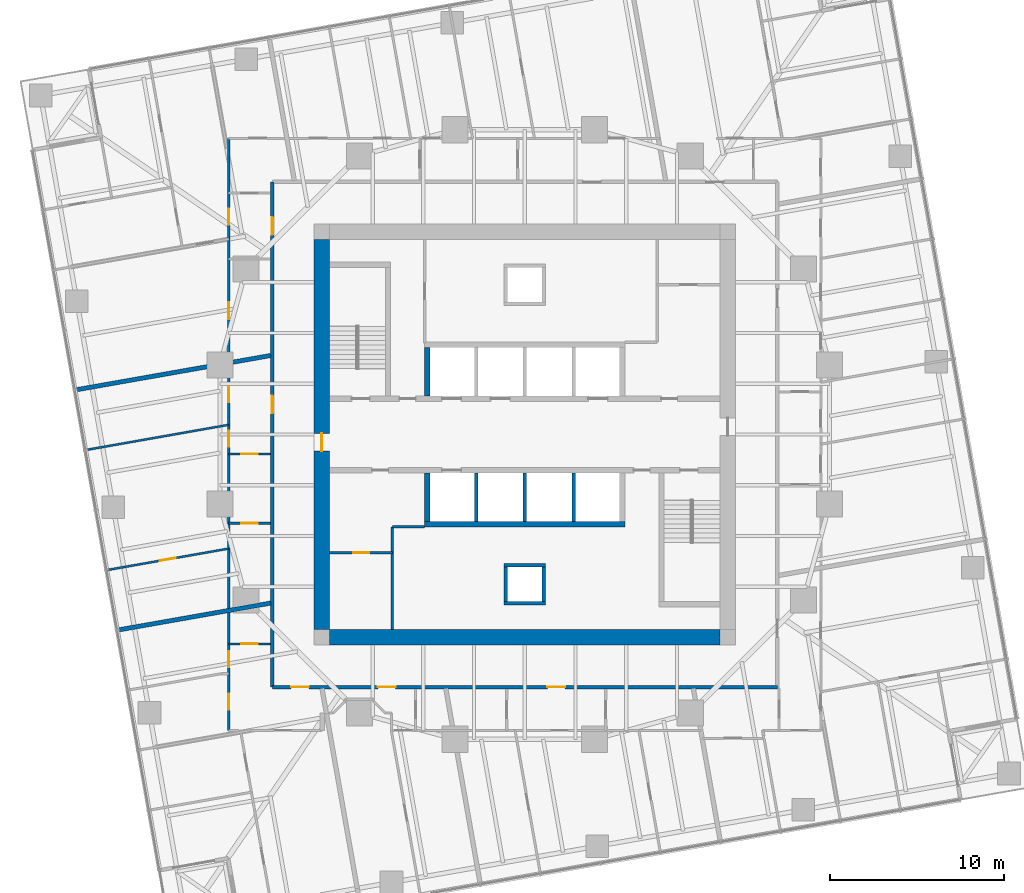
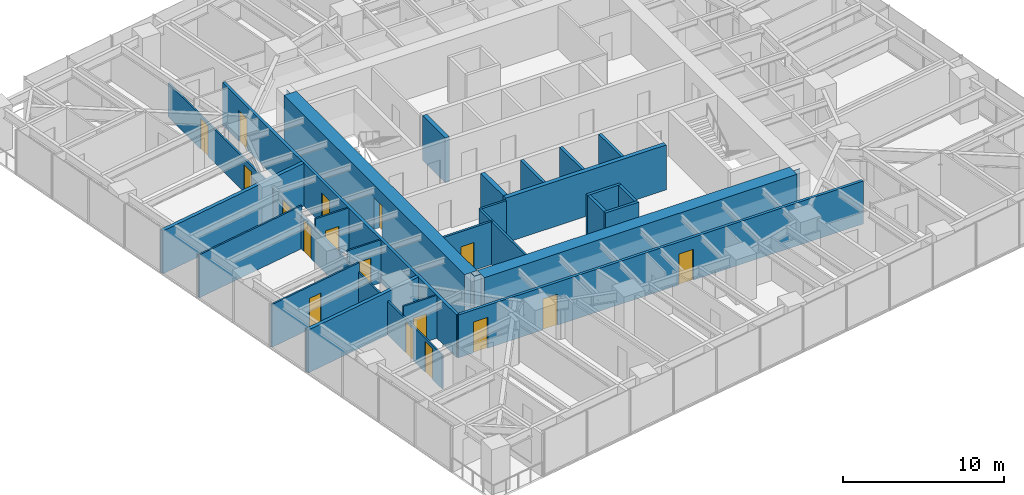
# One storey, part 9 of 14: 25 walls, 17 doors, 17 openings.
"""IFC4 building model written with IfcOpenShell, lengths in metres."""

from ifc_helpers import new_model, si_unit, direction, frame, frame_2d, origin, place, context, subcontext, project, spatial, polyline, rectangle, outline, extrude, material, layer, layer_set, type_object, element, fill, save


model = new_model("IFC4")

# Units and contexts
model_context = context("Model", 3, precision=1e-05, world=origin(), true_north=direction((0.0, 1.0)))
body_context = subcontext(model_context, "Body", "Model", "MODEL_VIEW")
ifc_project = project(units=[si_unit("LENGTHUNIT", "METRE"), si_unit("AREAUNIT", "SQUARE_METRE"), si_unit("VOLUMEUNIT", "CUBIC_METRE"), si_unit("PLANEANGLEUNIT", "RADIAN"), si_unit("MASSUNIT", "GRAM", prefix="KILO")], contexts=[model_context])

# Site, building, storey
site_placement = place(None, origin())
site = spatial("IfcSite", under=ifc_project, at=site_placement, CompositionType="ELEMENT")
building_placement = place(site_placement, origin())
building = spatial("IfcBuilding", under=site, at=building_placement, Name="Torsade Residences", CompositionType="ELEMENT")
storey_placement = place(building_placement, frame((0.0, 0.0, 86.199951171875)))
storey = spatial("IfcBuildingStorey", under=building, at=storey_placement, Name="L23", CompositionType="ELEMENT", Elevation=86.199951171875)

# Walls
ifc_material_1 = material(Name="Concrete 80 MPa", Category="concrete")
ifc_layer_1 = layer(ifc_material_1, 0.300048828125)
ifc_layer_set_1 = layer_set([ifc_layer_1], Name="Concrete 80 MPa")
wall_type_1 = type_object("IfcWallType", Name="CORE INTERNAL WALL 300", PredefinedType="SHEAR", material=ifc_layer_set_1)
wall_1_placement = place(storey_placement, frame((45.75, 24.85009765625, 0.0), z_axis=(0.0, 0.0, 1.0), x_axis=(-1.0, 0.0, 0.0)))
element("IfcWall", 1, at=wall_1_placement, inside=storey, type_object=wall_type_1, Name="Core wall BS L23", PredefinedType="SHEAR", context=body_context, shape_type="SweptSolid", body=[
    extrude(rectangle(XDim=11.5, YDim=0.300048828125, at=frame_2d((5.75, 0.0))), origin(), (0.0, 0.0, 1.0), 3.400146484375),
])
for number, where, z_axis, x_axis, name in (
    (2, (34.39990234375, 32.199951171875, 0.0), (0.0, 0.0, 1.0), (0.0, 1.0, 0.0), "Core wall DN0 L23"),
    (3, (34.39990234375, 27.800048828125, 0.0), (0.0, 0.0, 1.0), (0.0, -1.0, 0.0), "Core wall DS4 L23"),
):
    element("IfcWall", number, at=place(storey_placement, frame(where, z_axis=z_axis, x_axis=x_axis)), inside=storey, type_object=wall_type_1, Name=name, PredefinedType="SHEAR", context=body_context, shape_type="SweptSolid", body=[
        extrude(rectangle(XDim=2.800048828125, YDim=0.300048828125, at=frame_2d((1.39990234375, 0.0))), origin(), (0.0, 0.0, 1.0), 3.400146484375),
    ])
ifc_material_2 = material(Name="Concrete 80 MPa", Category="concrete")
ifc_layer_2 = layer(ifc_material_2, 0.89990234375)
ifc_layer_set_2 = layer_set([ifc_layer_2], Name="Concrete 80 MPa")
wall_type_2 = type_object("IfcWallType", Name="CORE WALL 900", PredefinedType="SHEAR", material=ifc_layer_set_2)
wall_2_placement = place(storey_placement, frame((51.199951171875, 18.35009765625, 0.0), z_axis=(0.0, 0.0, 1.0), x_axis=(-1.0, 0.0, 0.0)))
element("IfcWall", 4, at=wall_2_placement, inside=storey, type_object=wall_type_2, Name="Core wall S L23", PredefinedType="SHEAR", context=body_context, shape_type="SweptSolid", body=[
    extrude(outline(polyline([(0.0, -0.449951171875), (22.39990234375, -0.449951171875), (22.39990234375, -0.02490234375), (22.849853515625, -0.02490234375), (22.849853515625, 0.02490234375), (22.39990234375, 0.02490234375), (22.39990234375, 0.449951171875), (0.0, 0.449951171875), (0.0, 0.02490234375), (-0.449951171875, 0.02490234375), (-0.449951171875, -0.02490234375), (0.0, -0.02490234375), (0.0, -0.449951171875)])), origin(), (0.0, 0.0, 1.0), 3.400146484375),
])

# Wall, opening, door
wall_3_placement = place(storey_placement, frame((28.35009765625, 41.199951171875, 0.0), z_axis=(0.0, 0.0, 1.0), x_axis=(0.0, -1.0, 0.0)))
wall_3 = element("IfcWall", 5, at=wall_3_placement, inside=storey, type_object=wall_type_2, Name="Core wall W L23", PredefinedType="SHEAR", context=body_context, shape_type="SweptSolid", body=[
    extrude(outline(polyline([(0.0, -0.449951171875), (22.39990234375, -0.449951171875), (22.39990234375, -0.02490234375), (22.849853515625, -0.02490234375), (22.849853515625, 0.02490234375), (22.39990234375, 0.02490234375), (22.39990234375, 0.449951171875), (0.0, 0.449951171875), (0.0, 0.02490234375), (-0.449951171875, 0.02490234375), (-0.449951171875, -0.02490234375), (0.0, -0.02490234375), (0.0, -0.449951171875)])), origin(), (0.0, 0.0, 1.0), 3.400146484375),
])
opening_1_placement = place(wall_3_placement, frame((11.139892578125, 0.0, 0.0)))
opening_1 = element("IfcOpeningElement", 6, at=opening_1_placement, cuts=wall_3, Name="Opening D04", PredefinedType="OPENING", context=body_context, shape_type="SweptSolid", body=[
    extrude(rectangle(XDim=1.02001953125, YDim=2.39990234375, at=frame_2d((0.510009765625, 1.199951171875))), frame((0.0, 0.4599609375, 0.0), z_axis=(0.0, -1.0, 0.0), x_axis=(1.0, 0.0, 0.0)), (0.0, 0.0, 1.0), 0.919921875),
])
ifc_material_3 = material(Name="Steel-framed fire door", Category="steel")
door_type_1 = type_object("IfcDoorType", Name="LOBBY SMOKE DOOR 1020x2400", OperationType="NOTDEFINED", PredefinedType="DOOR", material=ifc_material_3)
door_1_placement = place(opening_1_placement, origin())
door_1 = element("IfcDoor", 7, at=door_1_placement, inside=storey, type_object=door_type_1, Name="Lift lobby door W L23", OperationType="SINGLE_SWING_RIGHT", OverallHeight=2.39990234375, OverallWidth=1.02001953125, PredefinedType="DOOR", context=body_context, shape_type="SweptSolid", body=[
    extrude(rectangle(XDim=1.02001953125, YDim=2.39990234375, at=frame_2d((0.510009765625, 1.199951171875))), frame((0.0, 0.02490234375, 0.0), z_axis=(0.0, -1.0, 0.0), x_axis=(1.0, 0.0, 0.0)), (0.0, 0.0, 1.0), 0.050048828125),
])
fill(opening_1, door_1)

# Wall, openings, doors
ifc_material_4 = material(Name="Plasterboard on steel stud", Category="steel")
ifc_layer_3 = layer(ifc_material_4, 0.199951171875)
ifc_layer_set_3 = layer_set([ifc_layer_3], Name="Plasterboard on steel stud")
wall_type_3 = type_object("IfcWallType", Name="CORRIDOR WALL 200", PredefinedType="PARTITIONING", material=ifc_layer_set_3)
wall_4_placement = place(storey_placement, frame((25.5, 15.5, 0.0), z_axis=(0.0, 0.0, 1.0), x_axis=(1.0, 0.0, 0.0)))
wall_4 = element("IfcWall", 8, at=wall_4_placement, inside=storey, type_object=wall_type_3, Name="Corridor wall L23", PredefinedType="PARTITIONING", context=body_context, shape_type="SweptSolid", body=[
    extrude(rectangle(XDim=29.0, YDim=0.199951171875, at=frame_2d((14.5, 0.0))), origin(), (0.0, 0.0, 1.0), 3.25),
])
opening_2_placement = place(wall_4_placement, frame((15.79443359375, 0.0, 0.0)))
opening_2 = element("IfcOpeningElement", 9, at=opening_2_placement, cuts=wall_4, Name="Opening D01", PredefinedType="OPENING", context=body_context, shape_type="SweptSolid", body=[
    extrude(rectangle(XDim=1.02001953125, YDim=2.340087890625, at=frame_2d((0.510009765625, 1.169921875))), frame((0.0, 0.10986328125, 0.0), z_axis=(0.0, -1.0, 0.0), x_axis=(1.0, 0.0, 0.0)), (0.0, 0.0, 1.0), 0.219970703125),
])
opening_3_placement = place(wall_4_placement, frame((6.0673828125, 0.0, 0.0)))
opening_3 = element("IfcOpeningElement", 10, at=opening_3_placement, cuts=wall_4, Name="Opening D01", PredefinedType="OPENING", context=body_context, shape_type="SweptSolid", body=[
    extrude(rectangle(XDim=1.02001953125, YDim=2.340087890625, at=frame_2d((0.510009765625, 1.169921875))), frame((0.0, 0.10986328125, 0.0), z_axis=(0.0, -1.0, 0.0), x_axis=(1.0, 0.0, 0.0)), (0.0, 0.0, 1.0), 0.219970703125),
])
opening_4_placement = place(wall_4_placement, frame((1.07861328125, 0.0, 0.0)))
opening_4 = element("IfcOpeningElement", 11, at=opening_4_placement, cuts=wall_4, Name="Opening D01", PredefinedType="OPENING", context=body_context, shape_type="SweptSolid", body=[
    extrude(rectangle(XDim=1.02001953125, YDim=2.340087890625, at=frame_2d((0.510009765625, 1.169921875))), frame((0.0, 0.10986328125, 0.0), z_axis=(0.0, -1.0, 0.0), x_axis=(1.0, 0.0, 0.0)), (0.0, 0.0, 1.0), 0.219970703125),
])
ifc_material_5 = material(Name="Solid-core timber fire door", Category="wood")
door_type_2 = type_object("IfcDoorType", Name="APARTMENT ENTRY DOOR 1020x2340", OperationType="NOTDEFINED", PredefinedType="DOOR", material=ifc_material_5)
door_2_placement = place(opening_2_placement, origin())
door_2 = element("IfcDoor", 12, at=door_2_placement, inside=storey, type_object=door_type_2, Name="Door Residential corridor to Kitchen and dining", OperationType="SINGLE_SWING_LEFT", OverallHeight=2.340087890625, OverallWidth=1.02001953125, PredefinedType="DOOR", context=body_context, shape_type="SweptSolid", body=[
    extrude(rectangle(XDim=1.02001953125, YDim=2.340087890625, at=frame_2d((0.510009765625, 1.169921875))), frame((0.0, 0.02490234375, 0.0), z_axis=(0.0, -1.0, 0.0), x_axis=(1.0, 0.0, 0.0)), (0.0, 0.0, 1.0), 0.050048828125),
])
fill(opening_2, door_2)
door_3_placement = place(opening_3_placement, origin())
door_3 = element("IfcDoor", 13, at=door_3_placement, inside=storey, type_object=door_type_2, Name="Door Residential corridor to Kitchen and dining", OperationType="SINGLE_SWING_RIGHT", OverallHeight=2.340087890625, OverallWidth=1.02001953125, PredefinedType="DOOR", context=body_context, shape_type="SweptSolid", body=[
    extrude(rectangle(XDim=1.02001953125, YDim=2.340087890625, at=frame_2d((0.510009765625, 1.169921875))), frame((0.0, 0.02490234375, 0.0), z_axis=(0.0, -1.0, 0.0), x_axis=(1.0, 0.0, 0.0)), (0.0, 0.0, 1.0), 0.050048828125),
])
fill(opening_3, door_3)
door_4_placement = place(opening_4_placement, origin())
door_4 = element("IfcDoor", 14, at=door_4_placement, inside=storey, type_object=door_type_2, Name="Door Residential corridor to Kitchen and dining", OperationType="SINGLE_SWING_LEFT", OverallHeight=2.340087890625, OverallWidth=1.02001953125, PredefinedType="DOOR", context=body_context, shape_type="SweptSolid", body=[
    extrude(rectangle(XDim=1.02001953125, YDim=2.340087890625, at=frame_2d((0.510009765625, 1.169921875))), frame((0.0, 0.02490234375, 0.0), z_axis=(0.0, -1.0, 0.0), x_axis=(1.0, 0.0, 0.0)), (0.0, 0.0, 1.0), 0.050048828125),
])
fill(opening_4, door_4)

wall_5_placement = place(storey_placement, frame((25.5, 44.5, 0.0), z_axis=(0.0, 0.0, 1.0), x_axis=(0.0, -1.0, 0.0)))
wall_5 = element("IfcWall", 15, at=wall_5_placement, inside=storey, type_object=wall_type_3, Name="Corridor wall L23", PredefinedType="PARTITIONING", context=body_context, shape_type="SweptSolid", body=[
    extrude(rectangle(XDim=29.0, YDim=0.199951171875, at=frame_2d((14.5, 0.0))), origin(), (0.0, 0.0, 1.0), 3.25),
])
opening_5_placement = place(wall_5_placement, frame((12.262939453125, 0.0, 0.0)))
opening_5 = element("IfcOpeningElement", 16, at=opening_5_placement, cuts=wall_5, Name="Opening D01", PredefinedType="OPENING", context=body_context, shape_type="SweptSolid", body=[
    extrude(rectangle(XDim=1.02001953125, YDim=2.340087890625, at=frame_2d((0.510009765625, 1.169921875))), frame((0.0, 0.10986328125, 0.0), z_axis=(0.0, -1.0, 0.0), x_axis=(1.0, 0.0, 0.0)), (0.0, 0.0, 1.0), 0.219970703125),
])
opening_6_placement = place(wall_5_placement, frame((2.01806640625, 0.0, 0.0)))
opening_6 = element("IfcOpeningElement", 17, at=opening_6_placement, cuts=wall_5, Name="Opening D01", PredefinedType="OPENING", context=body_context, shape_type="SweptSolid", body=[
    extrude(rectangle(XDim=1.02001953125, YDim=2.340087890625, at=frame_2d((0.510009765625, 1.169921875))), frame((0.0, 0.10986328125, 0.0), z_axis=(0.0, -1.0, 0.0), x_axis=(1.0, 0.0, 0.0)), (0.0, 0.0, 1.0), 0.219970703125),
])
door_5_placement = place(opening_5_placement, origin())
door_5 = element("IfcDoor", 18, at=door_5_placement, inside=storey, type_object=door_type_2, Name="Door Residential corridor to Kitchen and dining", OperationType="SINGLE_SWING_RIGHT", OverallHeight=2.340087890625, OverallWidth=1.02001953125, PredefinedType="DOOR", context=body_context, shape_type="SweptSolid", body=[
    extrude(rectangle(XDim=1.02001953125, YDim=2.340087890625, at=frame_2d((0.510009765625, 1.169921875))), frame((0.0, 0.02490234375, 0.0), z_axis=(0.0, -1.0, 0.0), x_axis=(1.0, 0.0, 0.0)), (0.0, 0.0, 1.0), 0.050048828125),
])
fill(opening_5, door_5)
door_6_placement = place(opening_6_placement, origin())
door_6 = element("IfcDoor", 19, at=door_6_placement, inside=storey, type_object=door_type_2, Name="Door Residential corridor to Kitchen and dining", OperationType="SINGLE_SWING_LEFT", OverallHeight=2.340087890625, OverallWidth=1.02001953125, PredefinedType="DOOR", context=body_context, shape_type="SweptSolid", body=[
    extrude(rectangle(XDim=1.02001953125, YDim=2.340087890625, at=frame_2d((0.510009765625, 1.169921875))), frame((0.0, 0.02490234375, 0.0), z_axis=(0.0, -1.0, 0.0), x_axis=(1.0, 0.0, 0.0)), (0.0, 0.0, 1.0), 0.050048828125),
])
fill(opening_6, door_6)

# Walls
ifc_material_6 = material(Name="Reinforced blockwork", Category="masonry")
ifc_layer_4 = layer(ifc_material_6, 0.199951171875)
ifc_layer_set_4 = layer_set([ifc_layer_4], Name="Reinforced blockwork")
wall_type_4 = type_object("IfcWallType", Name="LIFT SHAFT DIVIDING WALL 200", PredefinedType="SOLIDWALL", material=ifc_layer_set_4)
for number, where, z_axis, x_axis, name in (
    (20, (42.800048828125, 27.800048828125, 0.0), (0.0, 0.0, 1.0), (0.0, -1.0, 0.0), "Core wall DS1 L23"),
    (21, (40.0, 27.800048828125, 0.0), (0.0, 0.0, 1.0), (0.0, -1.0, 0.0), "Core wall DS2 L23"),
    (22, (37.199951171875, 27.800048828125, 0.0), (0.0, 0.0, 1.0), (0.0, -1.0, 0.0), "Core wall DS3 L23"),
):
    element("IfcWall", number, at=place(storey_placement, frame(where, z_axis=z_axis, x_axis=x_axis)), inside=storey, type_object=wall_type_4, Name=name, PredefinedType="SOLIDWALL", context=body_context, shape_type="SweptSolid", body=[
        extrude(rectangle(XDim=2.800048828125, YDim=0.199951171875, at=frame_2d((1.39990234375, 0.0))), origin(), (0.0, 0.0, 1.0), 3.400146484375),
    ])

# Wall, opening, door
ifc_material_7 = material(Name="Plasterboard on steel stud", Category="steel")
ifc_layer_5 = layer(ifc_material_7, 0.1201171875)
ifc_layer_set_5 = layer_set([ifc_layer_5], Name="Plasterboard on steel stud")
wall_type_5 = type_object("IfcWallType", Name="PARTITION 120", PredefinedType="PARTITIONING", material=ifc_layer_set_5)
wall_6_placement = place(storey_placement, frame((25.39990234375, 28.881591796875, 0.0), z_axis=(0.0, 0.0, 1.0), x_axis=(-1.0, 0.0, 0.0)))
wall_6 = element("IfcWall", 23, at=wall_6_placement, inside=storey, type_object=wall_type_5, Name="Partition L23", PredefinedType="PARTITIONING", context=body_context, shape_type="SweptSolid", body=[
    extrude(rectangle(XDim=2.39990234375, YDim=0.1201171875, at=frame_2d((1.199951171875, 0.0))), origin(), (0.0, 0.0, 1.0), 3.25),
])
opening_7_placement = place(wall_6_placement, frame((0.719970703125, 0.0, 0.0)))
opening_7 = element("IfcOpeningElement", 24, at=opening_7_placement, cuts=wall_6, Name="Opening D05", PredefinedType="OPENING", context=body_context, shape_type="SweptSolid", body=[
    extrude(rectangle(XDim=0.9599609375, YDim=2.10009765625, at=frame_2d((0.47998046875, 1.050048828125))), frame((0.0, 0.070068359375, 0.0), z_axis=(0.0, -1.0, 0.0), x_axis=(1.0, 0.0, 0.0)), (0.0, 0.0, 1.0), 0.14013671875),
])
ifc_material_8 = material(Name="Hollow-core timber door in a steel cavity frame", Category="steel")
door_type_3 = type_object("IfcDoorType", Name="BATHROOM CAVITY SLIDING DOOR 960", OperationType="SLIDING_TO_LEFT", PredefinedType="DOOR", material=ifc_material_8)
door_7_placement = place(opening_7_placement, origin())
door_7 = element("IfcDoor", 25, at=door_7_placement, inside=storey, type_object=door_type_3, Name="Door Kitchen and dining to Ensuite", OperationType="SLIDING_TO_LEFT", OverallHeight=2.10009765625, OverallWidth=0.9599609375, PredefinedType="DOOR", context=body_context, shape_type="SweptSolid", body=[
    extrude(rectangle(XDim=0.9599609375, YDim=2.10009765625, at=frame_2d((0.47998046875, 1.050048828125))), frame((0.0, 0.02490234375, 0.0), z_axis=(0.0, -1.0, 0.0), x_axis=(1.0, 0.0, 0.0)), (0.0, 0.0, 1.0), 0.050048828125),
])
fill(opening_7, door_7)

# Wall, openings, doors
wall_7_placement = place(storey_placement, frame((23.0, 13.0, 0.0), z_axis=(0.0, 0.0, 1.0), x_axis=(0.0, 1.0, 0.0)))
wall_7 = element("IfcWall", 26, at=wall_7_placement, inside=storey, type_object=wall_type_5, Name="Partition L23", PredefinedType="PARTITIONING", context=body_context, shape_type="SweptSolid", body=[
    extrude(rectangle(XDim=34.0, YDim=0.1201171875, at=frame_2d((17.0, 0.0))), origin(), (0.0, 0.0, 1.0), 2.550048828125),
])
opening_8_placement = place(wall_7_placement, frame((18.84814453125, 0.0, 0.0)))
opening_8 = element("IfcOpeningElement", 27, at=opening_8_placement, cuts=wall_7, Name="Opening D02", PredefinedType="OPENING", context=body_context, shape_type="SweptSolid", body=[
    extrude(rectangle(XDim=0.919921875, YDim=2.340087890625, at=frame_2d((0.4599609375, 1.169921875))), frame((0.0, 0.070068359375, 0.0), z_axis=(0.0, -1.0, 0.0), x_axis=(1.0, 0.0, 0.0)), (0.0, 0.0, 1.0), 0.14013671875),
])
opening_9_placement = place(wall_7_placement, frame((16.284423828125, 0.0, 0.0)))
opening_9 = element("IfcOpeningElement", 28, at=opening_9_placement, cuts=wall_7, Name="Opening D02", PredefinedType="OPENING", context=body_context, shape_type="SweptSolid", body=[
    extrude(rectangle(XDim=0.919921875, YDim=2.340087890625, at=frame_2d((0.4599609375, 1.169921875))), frame((0.0, 0.070068359375, 0.0), z_axis=(0.0, -1.0, 0.0), x_axis=(1.0, 0.0, 0.0)), (0.0, 0.0, 1.0), 0.14013671875),
])
opening_10_placement = place(wall_7_placement, frame((29.0517578125, 0.0, 0.0)))
opening_10 = element("IfcOpeningElement", 29, at=opening_10_placement, cuts=wall_7, Name="Opening D02", PredefinedType="OPENING", context=body_context, shape_type="SweptSolid", body=[
    extrude(rectangle(XDim=0.919921875, YDim=2.340087890625, at=frame_2d((0.4599609375, 1.169921875))), frame((0.0, 0.070068359375, 0.0), z_axis=(0.0, -1.0, 0.0), x_axis=(1.0, 0.0, 0.0)), (0.0, 0.0, 1.0), 0.14013671875),
])
opening_11_placement = place(wall_7_placement, frame((1.195556640625, 0.0, 0.0)))
opening_11 = element("IfcOpeningElement", 30, at=opening_11_placement, cuts=wall_7, Name="Opening D02", PredefinedType="OPENING", context=body_context, shape_type="SweptSolid", body=[
    extrude(rectangle(XDim=0.919921875, YDim=2.340087890625, at=frame_2d((0.4599609375, 1.169921875))), frame((0.0, 0.070068359375, 0.0), z_axis=(0.0, -1.0, 0.0), x_axis=(1.0, 0.0, 0.0)), (0.0, 0.0, 1.0), 0.14013671875),
])
opening_12_placement = place(wall_7_placement, frame((3.6328125, 0.0, 0.0)))
opening_12 = element("IfcOpeningElement", 31, at=opening_12_placement, cuts=wall_7, Name="Opening D02", PredefinedType="OPENING", context=body_context, shape_type="SweptSolid", body=[
    extrude(rectangle(XDim=0.919921875, YDim=2.340087890625, at=frame_2d((0.4599609375, 1.169921875))), frame((0.0, 0.070068359375, 0.0), z_axis=(0.0, -1.0, 0.0), x_axis=(1.0, 0.0, 0.0)), (0.0, 0.0, 1.0), 0.14013671875),
])
opening_13_placement = place(wall_7_placement, frame((23.619140625, 0.0, 0.0)))
opening_13 = element("IfcOpeningElement", 32, at=opening_13_placement, cuts=wall_7, Name="Opening D05", PredefinedType="OPENING", context=body_context, shape_type="SweptSolid", body=[
    extrude(rectangle(XDim=0.9599609375, YDim=2.10009765625, at=frame_2d((0.47998046875, 1.050048828125))), frame((0.0, 0.070068359375, 0.0), z_axis=(0.0, -1.0, 0.0), x_axis=(1.0, 0.0, 0.0)), (0.0, 0.0, 1.0), 0.14013671875),
])
door_8_placement = place(opening_13_placement, origin())
door_8 = element("IfcDoor", 33, at=door_8_placement, inside=storey, type_object=door_type_3, Name="Door Living room to Bathroom", OperationType="SLIDING_TO_LEFT", OverallHeight=2.10009765625, OverallWidth=0.9599609375, PredefinedType="DOOR", context=body_context, shape_type="SweptSolid", body=[
    extrude(rectangle(XDim=0.9599609375, YDim=2.10009765625, at=frame_2d((0.47998046875, 1.050048828125))), frame((0.0, 0.02490234375, 0.0), z_axis=(0.0, -1.0, 0.0), x_axis=(1.0, 0.0, 0.0)), (0.0, 0.0, 1.0), 0.050048828125),
])
fill(opening_13, door_8)
ifc_material_9 = material(Name="Hollow-core timber door", Category="wood")
door_type_4 = type_object("IfcDoorType", Name="INTERNAL DOOR 920x2340", OperationType="NOTDEFINED", PredefinedType="DOOR", material=ifc_material_9)
door_9_placement = place(opening_8_placement, origin())
door_9 = element("IfcDoor", 34, at=door_9_placement, inside=storey, type_object=door_type_4, Name="Door Kitchen and dining to Bedroom 1", OperationType="SINGLE_SWING_RIGHT", OverallHeight=2.340087890625, OverallWidth=0.919921875, PredefinedType="DOOR", context=body_context, shape_type="SweptSolid", body=[
    extrude(rectangle(XDim=0.919921875, YDim=2.340087890625, at=frame_2d((0.4599609375, 1.169921875))), frame((0.0, 0.02490234375, 0.0), z_axis=(0.0, -1.0, 0.0), x_axis=(1.0, 0.0, 0.0)), (0.0, 0.0, 1.0), 0.050048828125),
])
fill(opening_8, door_9)
door_10_placement = place(opening_9_placement, origin())
door_10 = element("IfcDoor", 35, at=door_10_placement, inside=storey, type_object=door_type_4, Name="Door Kitchen and dining to Living room", OperationType="SINGLE_SWING_RIGHT", OverallHeight=2.340087890625, OverallWidth=0.919921875, PredefinedType="DOOR", context=body_context, shape_type="SweptSolid", body=[
    extrude(rectangle(XDim=0.919921875, YDim=2.340087890625, at=frame_2d((0.4599609375, 1.169921875))), frame((0.0, 0.02490234375, 0.0), z_axis=(0.0, -1.0, 0.0), x_axis=(1.0, 0.0, 0.0)), (0.0, 0.0, 1.0), 0.050048828125),
])
fill(opening_9, door_10)
door_11_placement = place(opening_10_placement, origin())
door_11 = element("IfcDoor", 36, at=door_11_placement, inside=storey, type_object=door_type_4, Name="Door Kitchen and dining to Bedroom 1", OperationType="SINGLE_SWING_LEFT", OverallHeight=2.340087890625, OverallWidth=0.919921875, PredefinedType="DOOR", context=body_context, shape_type="SweptSolid", body=[
    extrude(rectangle(XDim=0.919921875, YDim=2.340087890625, at=frame_2d((0.4599609375, 1.169921875))), frame((0.0, 0.02490234375, 0.0), z_axis=(0.0, -1.0, 0.0), x_axis=(1.0, 0.0, 0.0)), (0.0, 0.0, 1.0), 0.050048828125),
])
fill(opening_10, door_11)
door_12_placement = place(opening_11_placement, origin())
door_12 = element("IfcDoor", 37, at=door_12_placement, inside=storey, type_object=door_type_4, Name="Door Kitchen and dining to Family room", OperationType="SINGLE_SWING_RIGHT", OverallHeight=2.340087890625, OverallWidth=0.919921875, PredefinedType="DOOR", context=body_context, shape_type="SweptSolid", body=[
    extrude(rectangle(XDim=0.919921875, YDim=2.340087890625, at=frame_2d((0.4599609375, 1.169921875))), frame((0.0, 0.02490234375, 0.0), z_axis=(0.0, -1.0, 0.0), x_axis=(1.0, 0.0, 0.0)), (0.0, 0.0, 1.0), 0.050048828125),
])
fill(opening_11, door_12)
door_13_placement = place(opening_12_placement, origin())
door_13 = element("IfcDoor", 38, at=door_13_placement, inside=storey, type_object=door_type_4, Name="Door Kitchen and dining to Bedroom 2", OperationType="SINGLE_SWING_LEFT", OverallHeight=2.340087890625, OverallWidth=0.919921875, PredefinedType="DOOR", context=body_context, shape_type="SweptSolid", body=[
    extrude(rectangle(XDim=0.919921875, YDim=2.340087890625, at=frame_2d((0.4599609375, 1.169921875))), frame((0.0, 0.02490234375, 0.0), z_axis=(0.0, -1.0, 0.0), x_axis=(1.0, 0.0, 0.0)), (0.0, 0.0, 1.0), 0.050048828125),
])
fill(opening_12, door_13)

# Wall, opening, door
wall_8_placement = place(storey_placement, frame((23.0, 24.90478515625, 0.0), z_axis=(0.0, 0.0, 1.0), x_axis=(1.0, 0.0, 0.0)))
wall_8 = element("IfcWall", 39, at=wall_8_placement, inside=storey, type_object=wall_type_5, Name="Partition L23", PredefinedType="PARTITIONING", context=body_context, shape_type="SweptSolid", body=[
    extrude(rectangle(XDim=2.39990234375, YDim=0.1201171875, at=frame_2d((1.199951171875, 0.0))), origin(), (0.0, 0.0, 1.0), 3.25),
])
opening_14_placement = place(wall_8_placement, frame((0.719970703125, 0.0, 0.0)))
opening_14 = element("IfcOpeningElement", 40, at=opening_14_placement, cuts=wall_8, Name="Opening D05", PredefinedType="OPENING", context=body_context, shape_type="SweptSolid", body=[
    extrude(rectangle(XDim=0.9599609375, YDim=2.10009765625, at=frame_2d((0.47998046875, 1.050048828125))), frame((0.0, 0.070068359375, 0.0), z_axis=(0.0, -1.0, 0.0), x_axis=(1.0, 0.0, 0.0)), (0.0, 0.0, 1.0), 0.14013671875),
])
door_14_placement = place(opening_14_placement, origin())
door_14 = element("IfcDoor", 41, at=door_14_placement, inside=storey, type_object=door_type_3, Name="Door Ensuite to Bathroom", OperationType="SLIDING_TO_LEFT", OverallHeight=2.10009765625, OverallWidth=0.9599609375, PredefinedType="DOOR", context=body_context, shape_type="SweptSolid", body=[
    extrude(rectangle(XDim=0.9599609375, YDim=2.10009765625, at=frame_2d((0.47998046875, 1.050048828125))), frame((0.0, 0.02490234375, 0.0), z_axis=(0.0, -1.0, 0.0), x_axis=(1.0, 0.0, 0.0)), (0.0, 0.0, 1.0), 0.050048828125),
])
fill(opening_14, door_14)

# Wall
wall_9_placement = place(storey_placement, frame((14.8115234375, 29.112548828125, 0.0), z_axis=(0.0, 0.0, 1.0), x_axis=(0.984807787824, 0.173647980238, 0.0)))
element("IfcWall", 42, at=wall_9_placement, inside=storey, type_object=wall_type_5, Name="Partition L23", PredefinedType="PARTITIONING", context=body_context, shape_type="SweptSolid", body=[
    extrude(rectangle(XDim=8.314697265625, YDim=0.1201171875, at=frame_2d((4.1572265625, 0.0))), origin(), (0.0, 0.0, 1.0), 3.25),
])

# Wall, opening, door
wall_10_placement = place(storey_placement, frame((23.0, 23.448486328125, 0.0), z_axis=(0.0, 0.0, 1.0), x_axis=(-0.984809234282, -0.173639776761, 0.0)))
wall_10 = element("IfcWall", 43, at=wall_10_placement, inside=storey, type_object=wall_type_5, Name="Partition L23", PredefinedType="PARTITIONING", context=body_context, shape_type="SweptSolid", body=[
    extrude(rectangle(XDim=7.080810546875, YDim=0.1201171875, at=frame_2d((3.54052734375, 0.0))), origin(), (0.0, 0.0, 1.0), 3.25),
])
opening_15_placement = place(wall_10_placement, frame((3.100341796875, 0.0, 0.0)))
opening_15 = element("IfcOpeningElement", 44, at=opening_15_placement, cuts=wall_10, Name="Opening D02", PredefinedType="OPENING", context=body_context, shape_type="SweptSolid", body=[
    extrude(rectangle(XDim=0.919921875, YDim=2.340087890625, at=frame_2d((0.4599609375, 1.169921875))), frame((0.0, 0.070068359375, 0.0), z_axis=(0.0, -1.0, 0.0), x_axis=(1.0, 0.0, 0.0)), (0.0, 0.0, 1.0), 0.14013671875),
])
door_15_placement = place(opening_15_placement, origin())
door_15 = element("IfcDoor", 45, at=door_15_placement, inside=storey, type_object=door_type_4, Name="Door Living room to Bedroom 2", OperationType="SINGLE_SWING_LEFT", OverallHeight=2.340087890625, OverallWidth=0.919921875, PredefinedType="DOOR", context=body_context, shape_type="SweptSolid", body=[
    extrude(rectangle(XDim=0.919921875, YDim=2.340087890625, at=frame_2d((0.4599609375, 1.169921875))), frame((0.0, 0.02490234375, 0.0), z_axis=(0.0, -1.0, 0.0), x_axis=(1.0, 0.0, 0.0)), (0.0, 0.0, 1.0), 0.050048828125),
])
fill(opening_15, door_15)

wall_11_placement = place(storey_placement, frame((23.0, 17.974609375, 0.0), z_axis=(0.0, 0.0, 1.0), x_axis=(1.0, 0.0, 0.0)))
wall_11 = element("IfcWall", 46, at=wall_11_placement, inside=storey, type_object=wall_type_5, Name="Partition L23", PredefinedType="PARTITIONING", context=body_context, shape_type="SweptSolid", body=[
    extrude(rectangle(XDim=2.39990234375, YDim=0.1201171875, at=frame_2d((1.199951171875, 0.0))), origin(), (0.0, 0.0, 1.0), 3.25),
])
opening_16_placement = place(wall_11_placement, frame((0.719970703125, 0.0, 0.0)))
opening_16 = element("IfcOpeningElement", 47, at=opening_16_placement, cuts=wall_11, Name="Opening D05", PredefinedType="OPENING", context=body_context, shape_type="SweptSolid", body=[
    extrude(rectangle(XDim=0.9599609375, YDim=2.10009765625, at=frame_2d((0.47998046875, 1.050048828125))), frame((0.0, 0.070068359375, 0.0), z_axis=(0.0, -1.0, 0.0), x_axis=(1.0, 0.0, 0.0)), (0.0, 0.0, 1.0), 0.14013671875),
])
door_16_placement = place(opening_16_placement, origin())
door_16 = element("IfcDoor", 48, at=door_16_placement, inside=storey, type_object=door_type_3, Name="Door Kitchen and dining to Bathroom", OperationType="SLIDING_TO_LEFT", OverallHeight=2.10009765625, OverallWidth=0.9599609375, PredefinedType="DOOR", context=body_context, shape_type="SweptSolid", body=[
    extrude(rectangle(XDim=0.9599609375, YDim=2.10009765625, at=frame_2d((0.47998046875, 1.050048828125))), frame((0.0, 0.02490234375, 0.0), z_axis=(0.0, -1.0, 0.0), x_axis=(1.0, 0.0, 0.0)), (0.0, 0.0, 1.0), 0.050048828125),
])
fill(opening_16, door_16)

# Walls
ifc_material_10 = material(Name="Masonry-lined stud party wall", Category="masonry")
ifc_layer_6 = layer(ifc_material_10, 0.25)
ifc_layer_set_6 = layer_set([ifc_layer_6], Name="Masonry-lined stud party wall")
wall_type_6 = type_object("IfcWallType", Name="PARTY WALL 250", PredefinedType="PARTITIONING", material=ifc_layer_set_6)
wall_12_placement = place(storey_placement, frame((14.164306640625, 32.552490234375, 0.0), z_axis=(0.0, 0.0, 1.0), x_axis=(0.98481000304, 0.173635416642, 0.0)))
element("IfcWall", 49, at=wall_12_placement, inside=storey, type_object=wall_type_6, Name="Party wall L23", PredefinedType="PARTITIONING", context=body_context, shape_type="SweptSolid", body=[
    extrude(rectangle(XDim=11.427001953125, YDim=0.25, at=frame_2d((5.71337890625, 0.0))), origin(), (0.0, 0.0, 1.0), 3.25),
])
wall_13_placement = place(storey_placement, frame((16.595458984375, 18.76513671875, 0.0), z_axis=(0.0, 0.0, 1.0), x_axis=(0.984806596137, 0.173654738504, 0.0)))
element("IfcWall", 50, at=wall_13_placement, inside=storey, type_object=wall_type_6, Name="Party wall L23", PredefinedType="PARTITIONING", context=body_context, shape_type="SweptSolid", body=[
    extrude(rectangle(XDim=8.958251953125, YDim=0.25, at=frame_2d((4.47900390625, 0.0))), origin(), (0.0, 0.0, 1.0), 3.25),
])
ifc_material_11 = material(Name="Reinforced blockwork", Category="masonry")
ifc_layer_7 = layer(ifc_material_11, 0.199951171875)
ifc_layer_set_7 = layer_set([ifc_layer_7], Name="Reinforced blockwork")
wall_type_7 = type_object("IfcWallType", Name="RISER SHAFT WALL 200", PredefinedType="SOLIDWALL", material=ifc_layer_set_7)
for number, where, z_axis, x_axis, name in (
    (51, (38.89990234375, 22.39990234375, 0.0), (0.0, 0.0, 1.0), (0.0, -1.0, 0.0), "Core wall RS2a L23"),
    (52, (41.10009765625, 22.39990234375, 0.0), (0.0, 0.0, 1.0), (0.0, -1.0, 0.0), "Core wall RS2b L23"),
):
    element("IfcWall", number, at=place(storey_placement, frame(where, z_axis=z_axis, x_axis=x_axis)), inside=storey, type_object=wall_type_7, Name=name, PredefinedType="SOLIDWALL", context=body_context, shape_type="SweptSolid", body=[
        extrude(rectangle(XDim=2.0, YDim=0.199951171875, at=frame_2d((1.0, 0.0))), origin(), (0.0, 0.0, 1.0), 3.400146484375),
    ])
for number, where, z_axis, x_axis, name in (
    (53, (38.800048828125, 22.5, 0.0), (0.0, 0.0, 1.0), (1.0, 0.0, 0.0), "Core wall RS2c L23"),
    (54, (38.800048828125, 20.300048828125, 0.0), (0.0, 0.0, 1.0), (1.0, 0.0, 0.0), "Core wall RS2d L23"),
):
    element("IfcWall", number, at=place(storey_placement, frame(where, z_axis=z_axis, x_axis=x_axis)), inside=storey, type_object=wall_type_7, Name=name, PredefinedType="SOLIDWALL", context=body_context, shape_type="SweptSolid", body=[
        extrude(rectangle(XDim=2.39990234375, YDim=0.199951171875, at=frame_2d((1.199951171875, 0.0))), origin(), (0.0, 0.0, 1.0), 3.400146484375),
    ])
ifc_material_12 = material(Name="Reinforced blockwork", Category="masonry")
ifc_layer_8 = layer(ifc_material_12, 0.14990234375)
ifc_layer_set_8 = layer_set([ifc_layer_8], Name="Reinforced blockwork")
wall_type_8 = type_object("IfcWallType", Name="SERVICE ROOM WALL 150", PredefinedType="SOLIDWALL", material=ifc_layer_set_8)
wall_14_placement = place(storey_placement, frame((32.39990234375, 18.800048828125, 0.0), z_axis=(0.0, 0.0, 1.0), x_axis=(0.0, 1.0, 0.0)))
element("IfcWall", 55, at=wall_14_placement, inside=storey, type_object=wall_type_8, Name="Service room wall L23", PredefinedType="SOLIDWALL", context=body_context, shape_type="SweptSolid", body=[
    extrude(rectangle(XDim=5.89990234375, YDim=0.14990234375, at=frame_2d((2.949951171875, 0.0))), origin(), (0.0, 0.0, 1.0), 3.25),
])
wall_15_placement = place(storey_placement, frame((32.39990234375, 24.699951171875, 0.0), z_axis=(0.0, 0.0, 1.0), x_axis=(1.0, 0.0, 0.0)))
element("IfcWall", 56, at=wall_15_placement, inside=storey, type_object=wall_type_8, Name="Service room wall L23", PredefinedType="SOLIDWALL", context=body_context, shape_type="SweptSolid", body=[
    extrude(rectangle(XDim=1.85009765625, YDim=0.14990234375, at=frame_2d((0.925048828125, 0.0))), origin(), (0.0, 0.0, 1.0), 3.25),
])

# Wall, opening, door
wall_16_placement = place(storey_placement, frame((32.39990234375, 23.199951171875, 0.0), z_axis=(0.0, 0.0, 1.0), x_axis=(-1.0, 0.0, 0.0)))
wall_16 = element("IfcWall", 57, at=wall_16_placement, inside=storey, type_object=wall_type_8, Name="Service room wall L23", PredefinedType="SOLIDWALL", context=body_context, shape_type="SweptSolid", body=[
    extrude(rectangle(XDim=3.599853515625, YDim=0.14990234375, at=frame_2d((1.7998046875, 0.0))), origin(), (0.0, 0.0, 1.0), 3.25),
])
opening_17_placement = place(wall_16_placement, frame((1.340087890625, 0.0, 0.0)))
opening_17 = element("IfcOpeningElement", 58, at=opening_17_placement, cuts=wall_16, Name="Opening D06", PredefinedType="OPENING", context=body_context, shape_type="SweptSolid", body=[
    extrude(rectangle(XDim=0.919921875, YDim=2.10009765625, at=frame_2d((0.4599609375, 1.050048828125))), frame((0.0, 0.0849609375, 0.0), z_axis=(0.0, -1.0, 0.0), x_axis=(1.0, 0.0, 0.0)), (0.0, 0.0, 1.0), 0.169921875),
])
ifc_material_13 = material(Name="Steel-framed fire door", Category="steel")
door_type_5 = type_object("IfcDoorType", Name="FIRE DOOR 920", OperationType="NOTDEFINED", PredefinedType="DOOR", material=ifc_material_13)
door_17_placement = place(opening_17_placement, origin())
door_17 = element("IfcDoor", 59, at=door_17_placement, inside=storey, type_object=door_type_5, Name="Door Cleaner store to Building store", OperationType="SINGLE_SWING_LEFT", OverallHeight=2.10009765625, OverallWidth=0.919921875, PredefinedType="DOOR", context=body_context, shape_type="SweptSolid", body=[
    extrude(rectangle(XDim=0.919921875, YDim=2.10009765625, at=frame_2d((0.4599609375, 1.050048828125))), frame((0.0, 0.02490234375, 0.0), z_axis=(0.0, -1.0, 0.0), x_axis=(1.0, 0.0, 0.0)), (0.0, 0.0, 1.0), 0.050048828125),
])
fill(opening_17, door_17)

save(model, "model.ifc")
